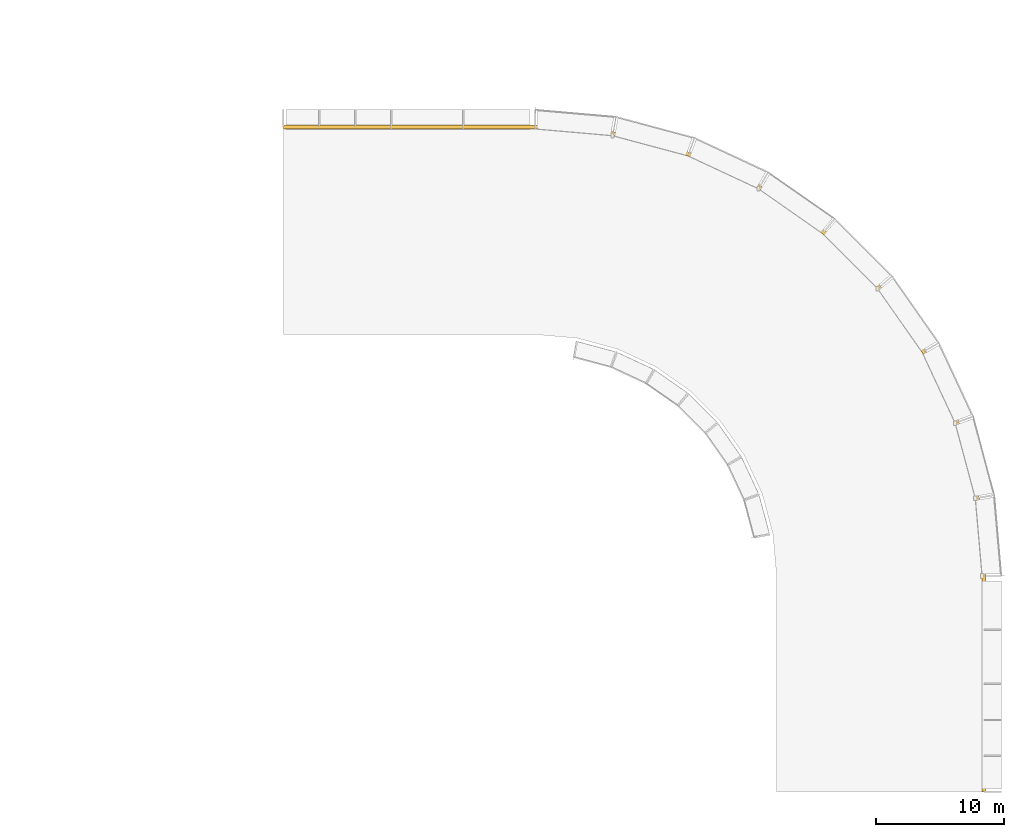
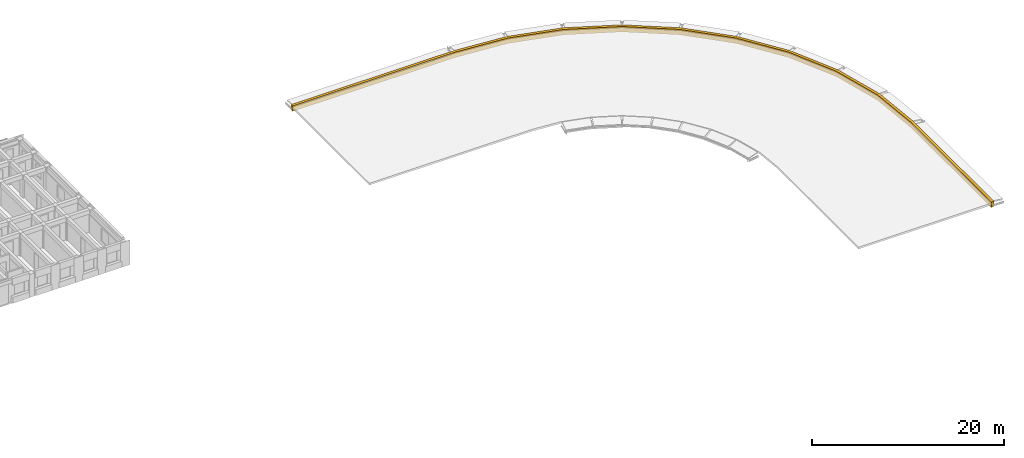
# One storey, part 23 of 23: 1 covering.
"""IFC4 building model written with IfcOpenShell, lengths in metres."""

from ifc_helpers import new_model, si_unit, direction, frame, origin, place, context, subcontext, project, spatial, polyline, outline, extrude, material, layer, layer_set, type_object, element, save


model = new_model("IFC4")

# Units and contexts
model_context = context("Model", 3, precision=1e-05, world=origin(), true_north=direction((0.0, 1.0)))
body_context = subcontext(model_context, "Body", "Model", "MODEL_VIEW")
ifc_project = project(units=[si_unit("LENGTHUNIT", "METRE"), si_unit("AREAUNIT", "SQUARE_METRE"), si_unit("VOLUMEUNIT", "CUBIC_METRE"), si_unit("PLANEANGLEUNIT", "RADIAN"), si_unit("MASSUNIT", "GRAM", prefix="KILO")], contexts=[model_context])

# Site, building, storey
site_placement = place(None, origin())
site = spatial("IfcSite", under=ifc_project, at=site_placement, CompositionType="ELEMENT")
building_placement = place(site_placement, origin())
building = spatial("IfcBuilding", under=site, at=building_placement, Name="Kiranvali Square Residences", CompositionType="ELEMENT")
storey_placement = place(building_placement, frame((0.0, 0.0, 43.35009765625)))
storey = spatial("IfcBuildingStorey", under=building, at=storey_placement, Name="L13", CompositionType="ELEMENT", Elevation=43.35009765625)

# Covering
ifc_material = material(Name="Carved Porbandar limestone classical entablature and cornice", Category="masonry")
ifc_layer = layer(ifc_material, 0.409912109375)
ifc_layer_set = layer_set([ifc_layer], Name="Carved Porbandar limestone classical entablature and cornice")
covering_type = type_object("IfcCoveringType", Name="COV-CLAD-ATTIC", PredefinedType="CLADDING", material=ifc_layer_set)
covering_placement = place(storey_placement, frame((0.0, 0.0, -0.550048828125)))
element("IfcCovering", 1, at=covering_placement, inside=storey, type_object=covering_type, Name="Block B Classical Ottoman attic entablature frieze", PredefinedType="CLADDING", context=body_context, shape_type="SweptSolid", body=[
    extrude(outline(polyline([(100.199951171875, 122.60205078125), (119.800048828125, 122.60205078125), (125.84326171875, 122.0732421875), (131.702880859375, 120.503173828125), (137.200927734375, 117.939453125), (142.17041015625, 114.4599609375), (146.4599609375, 110.17041015625), (149.939453125, 105.200927734375), (152.503173828125, 99.702880859375), (154.0732421875, 93.84326171875), (154.60205078125, 87.800048828125), (154.60205078125, 71.0), (154.919921875, 71.0), (154.919921875, 87.800048828125), (154.386474609375, 93.8984375), (152.802001953125, 99.811767578125), (150.21484375, 105.360107421875), (146.703369140625, 110.374755859375), (142.374755859375, 114.703369140625), (137.360107421875, 118.21484375), (131.811767578125, 120.802001953125), (125.8984375, 122.386474609375), (119.800048828125, 122.919921875), (100.199951171875, 122.919921875), (100.199951171875, 122.60205078125)])), origin(), (0.0, 0.0, 1.0), 0.68994140625),
])

save(model, "model.ifc")
